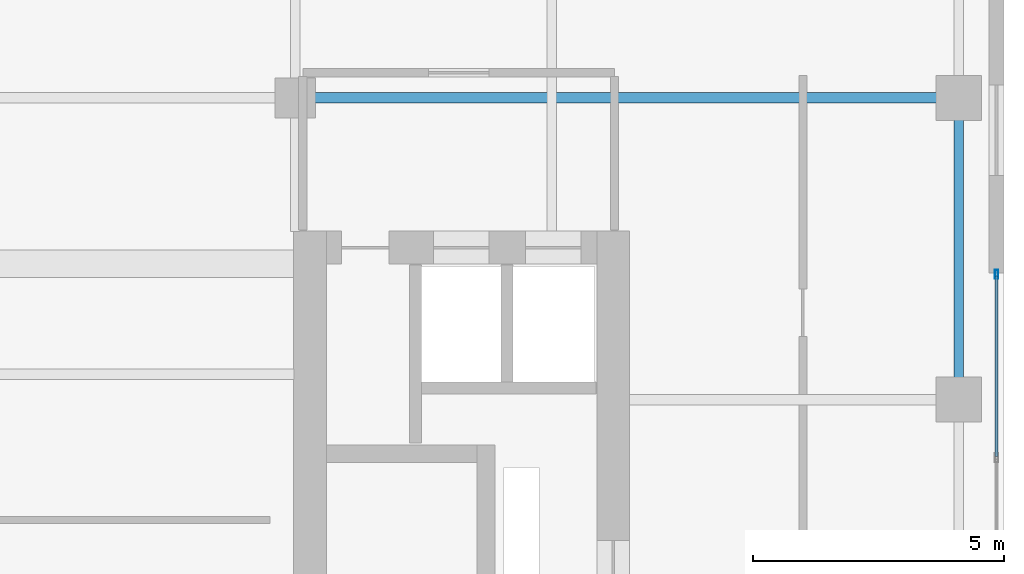
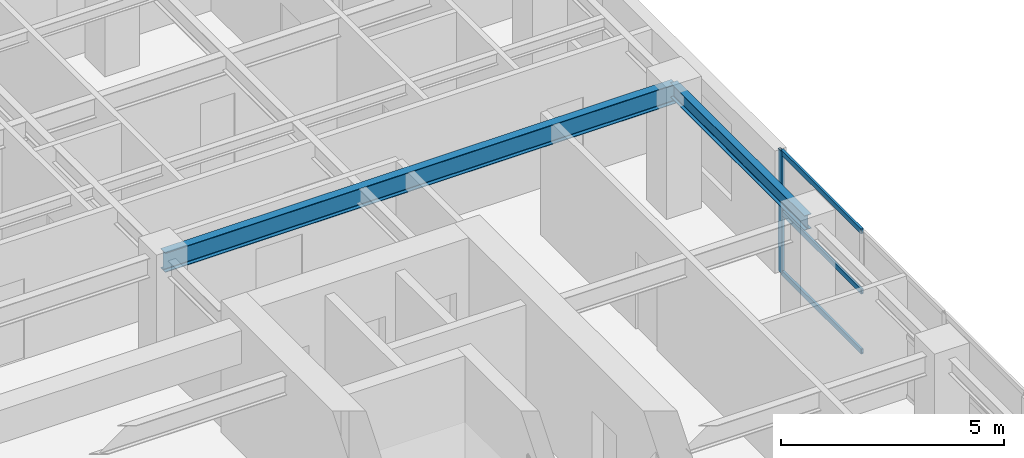
# One storey, part 13 of 24: 4 members, 2 beams, 1 element without a shape of its own.
"""IFC4 building model written with IfcOpenShell, lengths in metres."""

from ifc_helpers import new_model, si_unit, direction, frame, origin, origin_2d, place, context, subcontext, project, spatial, hollow_rectangle, i_section, extrude, source, transform, mapped, material, layer, layer_set, material_profile, profile_set, type_object, element, aggregate, save


model = new_model("IFC4")

# Units and contexts
model_context = context("Model", 3, precision=1e-05, world=origin(), true_north=direction((0.0, 1.0)))
body_context = subcontext(model_context, "Body", "Model", "MODEL_VIEW")
ifc_project = project(units=[si_unit("LENGTHUNIT", "METRE"), si_unit("AREAUNIT", "SQUARE_METRE"), si_unit("VOLUMEUNIT", "CUBIC_METRE"), si_unit("PLANEANGLEUNIT", "RADIAN"), si_unit("MASSUNIT", "GRAM", prefix="KILO")], contexts=[model_context])

# Site, building, storey
site_placement = place(None, origin())
site = spatial("IfcSite", under=ifc_project, at=site_placement, CompositionType="ELEMENT")
building_placement = place(site_placement, origin())
building = spatial("IfcBuilding", under=site, at=building_placement, Name="Khoralis Quay Care Tower", CompositionType="ELEMENT")
storey_placement = place(building_placement, frame((0.0, 0.0, 155.699951171875)))
storey = spatial("IfcBuildingStorey", under=building, at=storey_placement, Name="L40", CompositionType="ELEMENT", Elevation=155.699951171875)

# Beams
ifc_material_1 = material(Name="Steel S355", Category="steel")
ifc_material_profile_1 = material_profile(ifc_material_1, i_section(OverallWidth=0.179931640625, OverallDepth=0.39990234375, WebThickness=0.008544921875, FlangeThickness=0.013427734375, FilletRadius=0.02099609375, at=origin_2d()), Name="Steel S355")
ifc_profile_set_1 = profile_set([ifc_material_profile_1], Name="Steel S355")
beam_type_1 = type_object("IfcBeamType", Name="BM-IPE400", PredefinedType="SPANDREL", material=ifc_profile_set_1)
shared_shape_1 = source(origin(), body_context, "Body", "SweptSolid", [
    extrude(i_section(OverallWidth=0.179931640625, OverallDepth=0.39990234375, WebThickness=0.008544921875, FlangeThickness=0.013427734375, FilletRadius=0.02099609375, at=origin_2d()), origin(), (0.0, 0.0, 1.0), 6.0),
])
beam_1_placement = place(storey_placement, frame((44.10009765625, 24.0, 3.14013671875), z_axis=(0.0, 1.0, 0.0), x_axis=(-1.0, 0.0, 0.0)))
element("IfcBeam", 1, at=beam_1_placement, inside=storey, type_object=beam_type_1, Name="BM-TSP-L40-17", PredefinedType="SPANDREL", context=body_context, shape_type="MappedRepresentation", body=[
    mapped(shared_shape_1, transform((0.0, 0.0, 0.0), scale=1.0)),
])
ifc_material_profile_2 = material_profile(ifc_material_1, i_section(OverallWidth=0.208984375, OverallDepth=0.532958984375, WebThickness=0.01025390625, FlangeThickness=0.015625, FilletRadius=0.01611328125, at=origin_2d()), Name="Steel S355")
ifc_profile_set_2 = profile_set([ifc_material_profile_2], Name="Steel S355")
beam_type_2 = type_object("IfcBeamType", Name="BM-W530X92", PredefinedType="BEAM", material=ifc_profile_set_2)
shared_shape_2 = source(origin(), body_context, "Body", "SweptSolid", [
    extrude(i_section(OverallWidth=0.208984375, OverallDepth=0.532958984375, WebThickness=0.01025390625, FlangeThickness=0.015625, FilletRadius=0.01611328125, at=origin_2d()), origin(), (0.0, 0.0, 1.0), 13.2001953125),
])
beam_2_placement = place(storey_placement, frame((30.89990234375, 30.0, 3.073486328125), z_axis=(1.0, 0.0, 0.0), x_axis=(0.0, 1.0, 0.0)))
element("IfcBeam", 2, at=beam_2_placement, inside=storey, type_object=beam_type_2, Name="BM-TGXE-L40-300", PredefinedType="BEAM", context=body_context, shape_type="MappedRepresentation", body=[
    mapped(shared_shape_2, transform((0.0, 0.0, 0.0), scale=1.0)),
])

# Curtain wall, members
ifc_material_2 = material(Name="Pale anodised aluminium", Category="aluminium")
ifc_layer = layer(ifc_material_2, 0.159912109375)
ifc_layer_set = layer_set([ifc_layer], Name="Pale anodised aluminium")
curtain_wall_type = type_object("IfcCurtainWallType", Name="CW-SYS-Z3", PredefinedType="NOTDEFINED", material=ifc_layer_set)
curtain_wall_placement = place(storey_placement, origin())
curtain_wall = element("IfcCurtainWall", 3, at=curtain_wall_placement, inside=storey, type_object=curtain_wall_type, Name="L40 Unitised Curtain Wall CW-L40-P1-E5", PredefinedType="NOTDEFINED")
ifc_material_profile_3 = material_profile(ifc_material_2, hollow_rectangle(XDim=0.06494140625, YDim=0.179931640625, WallThickness=0.00390625, at=origin_2d()), Name="Pale anodised aluminium")
ifc_profile_set_3 = profile_set([ifc_material_profile_3], Name="Pale anodised aluminium")
member_type_1 = type_object("IfcMemberType", Name="CW-MUL-180", PredefinedType="MULLION", material=ifc_profile_set_3)
shared_shape_3 = source(origin(), body_context, "Body", "SweptSolid", [
    extrude(hollow_rectangle(XDim=0.06494140625, YDim=0.179931640625, WallThickness=0.00390625, at=origin_2d()), origin(), (0.0, 0.0, 1.0), 3.340087890625),
])
member_1_placement = place(storey_placement, frame((44.85009765625, 26.489990234375, 0.0), z_axis=(0.0, 0.0, 1.0), x_axis=(-1.0, 0.0, 0.0)))
member_1 = element("IfcMember", 4, at=member_1_placement, type_object=member_type_1, Name="CW3 mullion 4", PredefinedType="MULLION", context=body_context, shape_type="MappedRepresentation", body=[
    mapped(shared_shape_3, transform((0.0, 0.0, 0.0), scale=1.0)),
])
ifc_material_profile_4 = material_profile(ifc_material_2, hollow_rectangle(XDim=0.06005859375, YDim=0.139892578125, WallThickness=0.00390625, at=origin_2d()), Name="Pale anodised aluminium")
ifc_profile_set_4 = profile_set([ifc_material_profile_4], Name="Pale anodised aluminium")
member_type_2 = type_object("IfcMemberType", Name="CW-TRN-140", PredefinedType="USERDEFINED", material=ifc_profile_set_4)
shared_shape_4 = source(origin(), body_context, "Body", "SweptSolid", [
    extrude(hollow_rectangle(XDim=0.06005859375, YDim=0.139892578125, WallThickness=0.00390625, at=origin_2d()), origin(), (0.0, 0.0, 1.0), 3.58984375),
])
member_2_placement = place(storey_placement, frame((44.85009765625, 22.8701171875, 0.030029296875), z_axis=(0.0, 1.0, 0.0), x_axis=(-1.0, 0.0, 0.0)))
member_2 = element("IfcMember", 5, at=member_2_placement, type_object=member_type_2, Name="CW3 transom 3.1", ObjectType="TRANSOM", PredefinedType="USERDEFINED", context=body_context, shape_type="MappedRepresentation", body=[
    mapped(shared_shape_4, transform((0.0, 0.0, 0.0), scale=1.0)),
])
member_3_placement = place(storey_placement, frame((44.85009765625, 22.8701171875, 1.670166015625), z_axis=(0.0, 1.0, 0.0), x_axis=(-1.0, 0.0, 0.0)))
member_3 = element("IfcMember", 6, at=member_3_placement, type_object=member_type_2, Name="CW3 transom 3.2", ObjectType="TRANSOM", PredefinedType="USERDEFINED", context=body_context, shape_type="MappedRepresentation", body=[
    mapped(shared_shape_4, transform((0.0, 0.0, 0.0), scale=1.0)),
])
member_4_placement = place(storey_placement, frame((44.85009765625, 22.8701171875, 3.31005859375), z_axis=(0.0, 1.0, 0.0), x_axis=(-1.0, 0.0, 0.0)))
member_4 = element("IfcMember", 7, at=member_4_placement, type_object=member_type_2, Name="CW3 transom 3.3", ObjectType="TRANSOM", PredefinedType="USERDEFINED", context=body_context, shape_type="MappedRepresentation", body=[
    mapped(shared_shape_4, transform((0.0, 0.0, 0.0), scale=1.0)),
])
aggregate(curtain_wall, [member_1, member_2, member_3, member_4])

save(model, "model.ifc")
